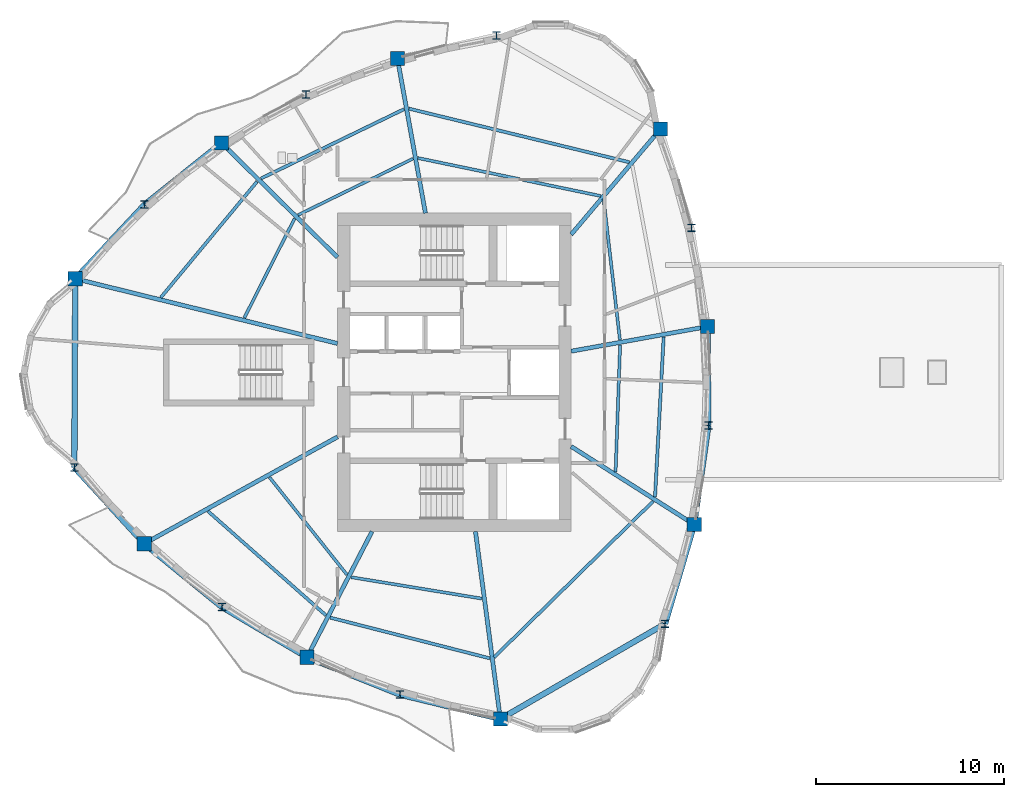
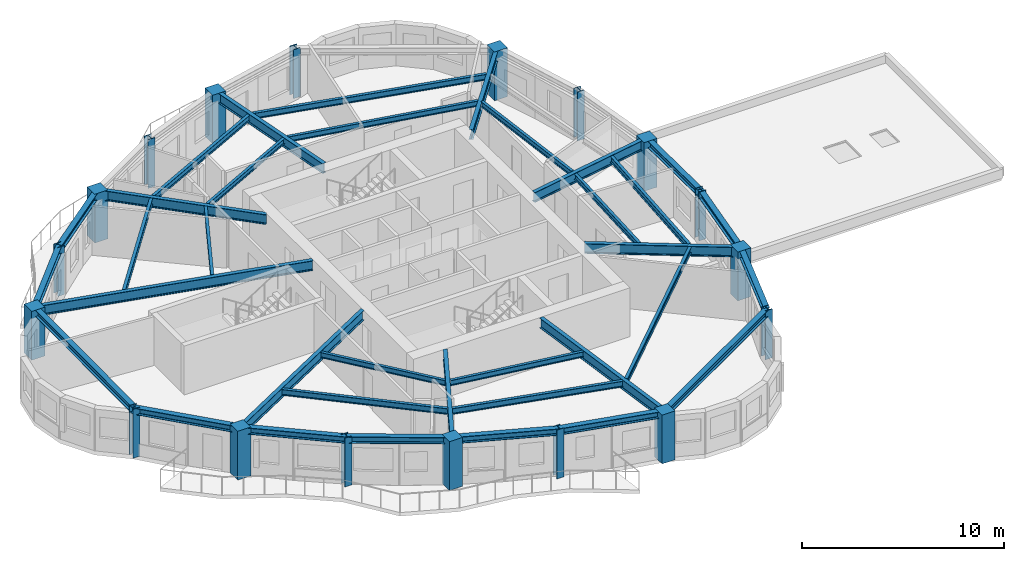
# One storey, part 1 of 11: 35 beams, 18 columns.
"""IFC4 building model written with IfcOpenShell, lengths in metres."""

from ifc_helpers import new_model, si_unit, direction, frame, origin, origin_2d, place, context, subcontext, project, spatial, rectangle, i_section, extrude, source, transform, mapped, material, material_profile, profile_set, type_object, element, save


model = new_model("IFC4")

# Units and contexts
model_context = context("Model", 3, precision=1e-05, world=origin(), true_north=direction((0.0, 1.0)))
body_context = subcontext(model_context, "Body", "Model", "MODEL_VIEW")
ifc_project = project(units=[si_unit("LENGTHUNIT", "METRE"), si_unit("AREAUNIT", "SQUARE_METRE"), si_unit("VOLUMEUNIT", "CUBIC_METRE"), si_unit("PLANEANGLEUNIT", "RADIAN"), si_unit("MASSUNIT", "GRAM", prefix="KILO")], contexts=[model_context])

# Site, building, storey
site_placement = place(None, origin())
site = spatial("IfcSite", under=ifc_project, at=site_placement, CompositionType="ELEMENT")
building_placement = place(site_placement, origin())
building = spatial("IfcBuilding", under=site, at=building_placement, Name="Qafzar Sky-Pleat Residences", CompositionType="ELEMENT")
storey_placement = place(building_placement, frame((0.0, 0.0, 161.800048828125)))
storey = spatial("IfcBuildingStorey", under=building, at=storey_placement, Name="L48", CompositionType="ELEMENT", Elevation=161.800048828125)

# Columns
ifc_material_1 = material(Name="Concrete C60/75", Category="concrete")
ifc_material_profile_1 = material_profile(ifc_material_1, rectangle(XDim=0.75, YDim=0.75, at=origin_2d()), Name="RC 750x750")
ifc_profile_set_1 = profile_set([ifc_material_profile_1], Name="Concrete C60/75")
column_type_1 = type_object("IfcColumnType", Name="COL-RC-750", PredefinedType="COLUMN", material=ifc_profile_set_1)
shared_shape_1 = source(origin(), body_context, "Body", "SweptSolid", [
    extrude(rectangle(XDim=0.75, YDim=0.75, at=origin_2d()), origin(), (0.0, 0.0, 1.0), 2.949951171875),
])
for number, where, z_axis, x_axis, name in (
    (1, (10.228515625, 30.96728515625, 0.0), (0.0, 0.0, 1.0), (1.0, 0.0, 0.0), "L48 Perimeter Mega Column 1"),
    (2, (13.890380859375, 16.905517578125, 0.0), (0.0, 0.0, 1.0), (1.0, 0.0, 0.0), "L48 Perimeter Mega Column 3"),
    (3, (22.528564453125, 10.879150390625, 0.0), (0.0, 0.0, 1.0), (1.0, 0.0, 0.0), "L48 Perimeter Mega Column 5"),
    (4, (32.789794921875, 7.602294921875, 0.0), (0.0, 0.0, 1.0), (1.0, 0.0, 0.0), "L48 Perimeter Mega Column 7"),
    (5, (43.08349609375, 17.91943359375, 0.0), (0.0, 0.0, 1.0), (1.0, 0.0, 0.0), "L48 Perimeter Mega Column 9"),
    (6, (43.77978515625, 28.428955078125, 0.0), (0.0, 0.0, 1.0), (1.0, 0.0, 0.0), "L48 Perimeter Mega Column 11"),
    (7, (41.28369140625, 38.907470703125, 0.0), (0.0, 0.0, 1.0), (1.0, 0.0, 0.0), "L48 Perimeter Mega Column 13"),
    (8, (27.328125, 42.652099609375, 0.0), (0.0, 0.0, 1.0), (1.0, 0.0, 0.0), "L48 Perimeter Mega Column 15"),
    (9, (17.99365234375, 38.168701171875, 0.0), (0.0, 0.0, 1.0), (1.0, 0.0, 0.0), "L48 Perimeter Mega Column 17"),
):
    element("IfcColumn", number, at=place(storey_placement, frame(where, z_axis=z_axis, x_axis=x_axis)), inside=storey, type_object=column_type_1, Name=name, PredefinedType="COLUMN", context=body_context, shape_type="MappedRepresentation", body=[
        mapped(shared_shape_1, transform((0.0, 0.0, 0.0), x_axis=(1.0, 0.0, 0.0), y_axis=(0.0, 1.0, 0.0), z_axis=(0.0, 0.0, 1.0), scale=1.0)),
    ])
ifc_material_2 = material(Name="Steel S355", Category="steel")
ifc_material_profile_2 = material_profile(ifc_material_2, i_section(OverallWidth=0.40087890625, OverallDepth=0.39892578125, WebThickness=0.02294921875, FlangeThickness=0.035888671875, FilletRadius=0.014892578125, at=origin_2d()), Name="HD 400x314")
ifc_profile_set_2 = profile_set([ifc_material_profile_2], Name="Steel S355")
column_type_2 = type_object("IfcColumnType", Name="COL-STL-HD314", PredefinedType="PILASTER", material=ifc_profile_set_2)
shared_shape_2 = source(origin(), body_context, "Body", "SweptSolid", [
    extrude(i_section(OverallWidth=0.40087890625, OverallDepth=0.39892578125, WebThickness=0.02294921875, FlangeThickness=0.035888671875, FilletRadius=0.014892578125, at=origin_2d()), origin(), (0.0, 0.0, 1.0), 2.949951171875),
])
for number, where, z_axis, x_axis, name in (
    (10, (10.179931640625, 20.94970703125, 0.0), (0.0, 0.0, 1.0), (1.0, 0.0, 0.0), "L48 Perimeter Mega Column 2"),
    (11, (18.006591796875, 13.548583984375, 0.0), (0.0, 0.0, 1.0), (1.0, 0.0, 0.0), "L48 Perimeter Mega Column 4"),
    (12, (27.456298828125, 8.897216796875, 0.0), (0.0, 0.0, 1.0), (1.0, 0.0, 0.0), "L48 Perimeter Mega Column 6"),
    (13, (41.5380859375, 12.653076171875, 0.0), (0.0, 0.0, 1.0), (1.0, 0.0, 0.0), "L48 Perimeter Mega Column 8"),
    (14, (43.830810546875, 23.177978515625, 0.0), (0.0, 0.0, 1.0), (1.0, 0.0, 0.0), "L48 Perimeter Mega Column 10"),
    (15, (42.930908203125, 33.672119140625, 0.0), (0.0, 0.0, 1.0), (1.0, 0.0, 0.0), "L48 Perimeter Mega Column 12"),
    (16, (32.583984375, 43.874267578125, 0.0), (0.0, 0.0, 1.0), (1.0, 0.0, 0.0), "L48 Perimeter Mega Column 14"),
    (17, (22.464599609375, 40.750244140625, 0.0), (0.0, 0.0, 1.0), (1.0, 0.0, 0.0), "L48 Perimeter Mega Column 16"),
    (18, (13.914794921875, 34.90771484375, 0.0), (0.0, 0.0, 1.0), (1.0, 0.0, 0.0), "L48 Perimeter Mega Column 18"),
):
    element("IfcColumn", number, at=place(storey_placement, frame(where, z_axis=z_axis, x_axis=x_axis)), inside=storey, type_object=column_type_2, Name=name, PredefinedType="PILASTER", context=body_context, shape_type="MappedRepresentation", body=[
        mapped(shared_shape_2, transform((0.0, 0.0, 0.0), x_axis=(1.0, 0.0, 0.0), y_axis=(0.0, 1.0, 0.0), z_axis=(0.0, 0.0, 1.0), scale=1.0)),
    ])

# Beams
ifc_material_profile_3 = material_profile(ifc_material_2, i_section(OverallWidth=0.300048828125, OverallDepth=0.39990234375, WebThickness=0.013427734375, FlangeThickness=0.02392578125, FilletRadius=0.027099609375, at=origin_2d()), Name="HEB 400")
ifc_profile_set_3 = profile_set([ifc_material_profile_3], Name="Steel S355")
beam_type_1 = type_object("IfcBeamType", Name="BM-SPAN-HEB400", PredefinedType="SPANDREL", material=ifc_profile_set_3)
shared_shape_3 = source(origin(), body_context, "Body", "SweptSolid", [
    extrude(i_section(OverallWidth=0.300048828125, OverallDepth=0.39990234375, WebThickness=0.013427734375, FlangeThickness=0.02392578125, FilletRadius=0.027099609375, at=origin_2d()), origin(), (0.0, 0.0, 1.0), 10.017578125),
])
beam_1_placement = place(storey_placement, frame((10.228515625, 30.96728515625, 2.748046875), z_axis=(-0.004849816233, -0.999988239572, 0.0), x_axis=(0.999988239572, -0.004849816233, 0.0)))
element("IfcBeam", 19, at=beam_1_placement, inside=storey, type_object=beam_type_1, Name="L48 Perimeter Spandrel Beam 1", PredefinedType="SPANDREL", context=body_context, shape_type="MappedRepresentation", body=[
    mapped(shared_shape_3, transform((0.0, 0.0, 0.0), x_axis=(1.0, 0.0, 0.0), y_axis=(0.0, 1.0, 0.0), z_axis=(0.0, 0.0, 1.0), scale=1.0)),
])
shared_shape_4 = source(origin(), body_context, "Body", "SweptSolid", [
    extrude(i_section(OverallWidth=0.300048828125, OverallDepth=0.39990234375, WebThickness=0.013427734375, FlangeThickness=0.02392578125, FilletRadius=0.027099609375, at=origin_2d()), origin(), (0.0, 0.0, 1.0), 5.488525390625),
])
for number, where, z_axis, x_axis, name in (
    (20, (10.179931640625, 20.94970703125, 2.748046875), (0.676048867567, -0.736856789791, 0.0), (0.736856789791, 0.676048867567, 0.0), "L48 Perimeter Spandrel Beam 2"),
    (21, (27.456298828125, 8.897216796875, 2.748046875), (0.971768566723, -0.235936120017, 0.0), (0.235936120017, 0.971768566723, 0.0), "L48 Perimeter Spandrel Beam 6"),
    (22, (41.5380859375, 12.653076171875, 2.748046875), (0.281576235799, 0.959538859783, 0.0), (-0.959538859783, 0.281576235799, 0.0), "L48 Perimeter Spandrel Beam 8"),
):
    element("IfcBeam", number, at=place(storey_placement, frame(where, z_axis=z_axis, x_axis=x_axis)), inside=storey, type_object=beam_type_1, Name=name, PredefinedType="SPANDREL", context=body_context, shape_type="MappedRepresentation", body=[
        mapped(shared_shape_4, transform((0.0, 0.0, 0.0), x_axis=(1.0, 0.0, 0.0), y_axis=(0.0, 1.0, 0.0), z_axis=(0.0, 0.0, 1.0), scale=1.0)),
    ])
shared_shape_5 = source(origin(), body_context, "Body", "SweptSolid", [
    extrude(i_section(OverallWidth=0.300048828125, OverallDepth=0.39990234375, WebThickness=0.013427734375, FlangeThickness=0.02392578125, FilletRadius=0.027099609375, at=origin_2d()), origin(), (0.0, 0.0, 1.0), 5.3115234375),
])
beam_2_placement = place(storey_placement, frame((13.890380859375, 16.905517578125, 2.748046875), z_axis=(0.774959807664, -0.632010519299, 0.0), x_axis=(0.632010519299, 0.774959807664, 0.0)))
element("IfcBeam", 23, at=beam_2_placement, inside=storey, type_object=beam_type_1, Name="L48 Perimeter Spandrel Beam 3", PredefinedType="SPANDREL", context=body_context, shape_type="MappedRepresentation", body=[
    mapped(shared_shape_5, transform((0.0, 0.0, 0.0), x_axis=(1.0, 0.0, 0.0), y_axis=(0.0, 1.0, 0.0), z_axis=(0.0, 0.0, 1.0), scale=1.0)),
])
shared_shape_6 = source(origin(), body_context, "Body", "SweptSolid", [
    extrude(i_section(OverallWidth=0.300048828125, OverallDepth=0.39990234375, WebThickness=0.013427734375, FlangeThickness=0.02392578125, FilletRadius=0.027099609375, at=origin_2d()), origin(), (0.0, 0.0, 1.0), 5.251220703125),
])
for number, where, z_axis, x_axis, name in (
    (24, (18.006591796875, 13.548583984375, 2.748046875), (0.861146738324, -0.508356464574, 0.0), (0.508356464574, 0.861146738324, 0.0), "L48 Perimeter Spandrel Beam 4"),
    (25, (43.830810546875, 23.177978515625, 2.748046875), (-0.009716855736, 0.999952790243, 0.0), (-0.999952790243, -0.009716855736, 0.0), "L48 Perimeter Spandrel Beam 10"),
):
    element("IfcBeam", number, at=place(storey_placement, frame(where, z_axis=z_axis, x_axis=x_axis)), inside=storey, type_object=beam_type_1, Name=name, PredefinedType="SPANDREL", context=body_context, shape_type="MappedRepresentation", body=[
        mapped(shared_shape_6, transform((0.0, 0.0, 0.0), x_axis=(1.0, 0.0, 0.0), y_axis=(0.0, 1.0, 0.0), z_axis=(0.0, 0.0, 1.0), scale=1.0)),
    ])
shared_shape_7 = source(origin(), body_context, "Body", "SweptSolid", [
    extrude(i_section(OverallWidth=0.300048828125, OverallDepth=0.39990234375, WebThickness=0.013427734375, FlangeThickness=0.02392578125, FilletRadius=0.027099609375, at=origin_2d()), origin(), (0.0, 0.0, 1.0), 5.311279296875),
])
for number, where, z_axis, x_axis, name in (
    (26, (22.528564453125, 10.879150390625, 2.748046875), (0.927771273555, -0.373149385589, 0.0), (0.373149385589, 0.927771273555, 0.0), "L48 Perimeter Spandrel Beam 5"),
    (27, (43.08349609375, 17.91943359375, 2.748046875), (0.140700578777, 0.990052194145, 0.0), (-0.990052194145, 0.140700578777, 0.0), "L48 Perimeter Spandrel Beam 9"),
):
    element("IfcBeam", number, at=place(storey_placement, frame(where, z_axis=z_axis, x_axis=x_axis)), inside=storey, type_object=beam_type_1, Name=name, PredefinedType="SPANDREL", context=body_context, shape_type="MappedRepresentation", body=[
        mapped(shared_shape_7, transform((0.0, 0.0, 0.0), x_axis=(1.0, 0.0, 0.0), y_axis=(0.0, 1.0, 0.0), z_axis=(0.0, 0.0, 1.0), scale=1.0)),
    ])
shared_shape_8 = source(origin(), body_context, "Body", "SweptSolid", [
    extrude(i_section(OverallWidth=0.300048828125, OverallDepth=0.39990234375, WebThickness=0.013427734375, FlangeThickness=0.02392578125, FilletRadius=0.027099609375, at=origin_2d()), origin(), (0.0, 0.0, 1.0), 10.1015625),
])
beam_3_placement = place(storey_placement, frame((32.789794921875, 7.602294921875, 2.748046875), z_axis=(0.866027415153, 0.499996516191, 0.0), x_axis=(-0.499996516191, 0.866027415153, 0.0)))
element("IfcBeam", 28, at=beam_3_placement, inside=storey, type_object=beam_type_1, Name="L48 Perimeter Spandrel Beam 7", PredefinedType="SPANDREL", context=body_context, shape_type="MappedRepresentation", body=[
    mapped(shared_shape_8, transform((0.0, 0.0, 0.0), x_axis=(1.0, 0.0, 0.0), y_axis=(0.0, 1.0, 0.0), z_axis=(0.0, 0.0, 1.0), scale=1.0)),
])
shared_shape_9 = source(origin(), body_context, "Body", "SweptSolid", [
    extrude(i_section(OverallWidth=0.300048828125, OverallDepth=0.39990234375, WebThickness=0.013427734375, FlangeThickness=0.02392578125, FilletRadius=0.027099609375, at=origin_2d()), origin(), (0.0, 0.0, 1.0), 5.39599609375),
])
beam_4_placement = place(storey_placement, frame((13.914794921875, 34.90771484375, 2.748046875), z_axis=(-0.683164134037, -0.730264860147, 0.0), x_axis=(0.730264860147, -0.683164134037, 0.0)))
element("IfcBeam", 29, at=beam_4_placement, inside=storey, type_object=beam_type_1, Name="L48 Perimeter Spandrel Beam 18", PredefinedType="SPANDREL", context=body_context, shape_type="MappedRepresentation", body=[
    mapped(shared_shape_9, transform((0.0, 0.0, 0.0), x_axis=(1.0, 0.0, 0.0), y_axis=(0.0, 1.0, 0.0), z_axis=(0.0, 0.0, 1.0), scale=1.0)),
])
shared_shape_10 = source(origin(), body_context, "Body", "SweptSolid", [
    extrude(i_section(OverallWidth=0.300048828125, OverallDepth=0.39990234375, WebThickness=0.013427734375, FlangeThickness=0.02392578125, FilletRadius=0.027099609375, at=origin_2d()), origin(), (0.0, 0.0, 1.0), 5.22216796875),
])
beam_5_placement = place(storey_placement, frame((17.99365234375, 38.168701171875, 2.748046875), z_axis=(-0.781064896086, -0.624449860359, 0.0), x_axis=(0.624449860359, -0.781064896086, 0.0)))
element("IfcBeam", 30, at=beam_5_placement, inside=storey, type_object=beam_type_1, Name="L48 Perimeter Spandrel Beam 17", PredefinedType="SPANDREL", context=body_context, shape_type="MappedRepresentation", body=[
    mapped(shared_shape_10, transform((0.0, 0.0, 0.0), x_axis=(1.0, 0.0, 0.0), y_axis=(0.0, 1.0, 0.0), z_axis=(0.0, 0.0, 1.0), scale=1.0)),
])
ifc_material_profile_4 = material_profile(ifc_material_2, i_section(OverallWidth=0.219970703125, OverallDepth=0.60009765625, WebThickness=0.011962890625, FlangeThickness=0.01904296875, FilletRadius=0.02392578125, at=origin_2d()), Name="IPE 600")
ifc_profile_set_4 = profile_set([ifc_material_profile_4], Name="Steel S355")
beam_type_2 = type_object("IfcBeamType", Name="BM-SEC-IPE600", PredefinedType="BEAM", material=ifc_profile_set_4)
shared_shape_11 = source(origin(), body_context, "Body", "SweptSolid", [
    extrude(i_section(OverallWidth=0.219970703125, OverallDepth=0.60009765625, WebThickness=0.011962890625, FlangeThickness=0.01904296875, FilletRadius=0.02392578125, at=origin_2d()), origin(), (0.0, 0.0, 1.0), 14.33935546875),
])
beam_6_placement = place(storey_placement, frame((10.228515625, 30.96728515625, 2.64794921875), z_axis=(0.970853373053, -0.239674212277, 0.0), x_axis=(0.239674212277, 0.970853373053, 0.0)))
element("IfcBeam", 31, at=beam_6_placement, inside=storey, type_object=beam_type_2, Name="L48 Radial Floor Girder 1", PredefinedType="BEAM", context=body_context, shape_type="MappedRepresentation", body=[
    mapped(shared_shape_11, transform((0.0, 0.0, 0.0), x_axis=(1.0, 0.0, 0.0), y_axis=(0.0, 1.0, 0.0), z_axis=(0.0, 0.0, 1.0), scale=1.0)),
])
shared_shape_12 = source(origin(), body_context, "Body", "SweptSolid", [
    extrude(i_section(OverallWidth=0.219970703125, OverallDepth=0.60009765625, WebThickness=0.011962890625, FlangeThickness=0.01904296875, FilletRadius=0.02392578125, at=origin_2d()), origin(), (0.0, 0.0, 1.0), 11.721435546875),
])
beam_7_placement = place(storey_placement, frame((13.890380859375, 16.905517578125, 2.64794921875), z_axis=(0.875278891654, 0.483618508563, 0.0), x_axis=(-0.483618508563, 0.875278891654, 0.0)))
element("IfcBeam", 32, at=beam_7_placement, inside=storey, type_object=beam_type_2, Name="L48 Radial Floor Girder 3", PredefinedType="BEAM", context=body_context, shape_type="MappedRepresentation", body=[
    mapped(shared_shape_12, transform((0.0, 0.0, 0.0), x_axis=(1.0, 0.0, 0.0), y_axis=(0.0, 1.0, 0.0), z_axis=(0.0, 0.0, 1.0), scale=1.0)),
])
shared_shape_13 = source(origin(), body_context, "Body", "SweptSolid", [
    extrude(i_section(OverallWidth=0.219970703125, OverallDepth=0.60009765625, WebThickness=0.011962890625, FlangeThickness=0.01904296875, FilletRadius=0.02392578125, at=origin_2d()), origin(), (0.0, 0.0, 1.0), 7.510498046875),
])
beam_8_placement = place(storey_placement, frame((22.528564453125, 10.879150390625, 2.64794921875), z_axis=(0.459420265868, 0.888219015395, 0.0), x_axis=(-0.888219015395, 0.459420265868, 0.0)))
element("IfcBeam", 33, at=beam_8_placement, inside=storey, type_object=beam_type_2, Name="L48 Radial Floor Girder 5", PredefinedType="BEAM", context=body_context, shape_type="MappedRepresentation", body=[
    mapped(shared_shape_13, transform((0.0, 0.0, 0.0), x_axis=(1.0, 0.0, 0.0), y_axis=(0.0, 1.0, 0.0), z_axis=(0.0, 0.0, 1.0), scale=1.0)),
])
shared_shape_14 = source(origin(), body_context, "Body", "SweptSolid", [
    extrude(i_section(OverallWidth=0.219970703125, OverallDepth=0.60009765625, WebThickness=0.011962890625, FlangeThickness=0.01904296875, FilletRadius=0.02392578125, at=origin_2d()), origin(), (0.0, 0.0, 1.0), 10.034912109375),
])
beam_9_placement = place(storey_placement, frame((32.789794921875, 7.602294921875, 2.64794921875), z_axis=(-0.131451336112, 0.991322624696, 0.0), x_axis=(-0.991322624696, -0.131451336112, 0.0)))
element("IfcBeam", 34, at=beam_9_placement, inside=storey, type_object=beam_type_2, Name="L48 Radial Floor Girder 7", PredefinedType="BEAM", context=body_context, shape_type="MappedRepresentation", body=[
    mapped(shared_shape_14, transform((0.0, 0.0, 0.0), x_axis=(1.0, 0.0, 0.0), y_axis=(0.0, 1.0, 0.0), z_axis=(0.0, 0.0, 1.0), scale=1.0)),
])
shared_shape_15 = source(origin(), body_context, "Body", "SweptSolid", [
    extrude(i_section(OverallWidth=0.219970703125, OverallDepth=0.60009765625, WebThickness=0.011962890625, FlangeThickness=0.01904296875, FilletRadius=0.02392578125, at=origin_2d()), origin(), (0.0, 0.0, 1.0), 7.73779296875),
])
beam_10_placement = place(storey_placement, frame((43.08349609375, 17.91943359375, 2.64794921875), z_axis=(-0.84434287058, 0.535803244579, 0.0), x_axis=(-0.535803244579, -0.84434287058, 0.0)))
element("IfcBeam", 35, at=beam_10_placement, inside=storey, type_object=beam_type_2, Name="L48 Radial Floor Girder 9", PredefinedType="BEAM", context=body_context, shape_type="MappedRepresentation", body=[
    mapped(shared_shape_15, transform((0.0, 0.0, 0.0), x_axis=(1.0, 0.0, 0.0), y_axis=(0.0, 1.0, 0.0), z_axis=(0.0, 0.0, 1.0), scale=1.0)),
])
shared_shape_16 = source(origin(), body_context, "Body", "SweptSolid", [
    extrude(i_section(OverallWidth=0.219970703125, OverallDepth=0.60009765625, WebThickness=0.011962890625, FlangeThickness=0.01904296875, FilletRadius=0.02392578125, at=origin_2d()), origin(), (0.0, 0.0, 1.0), 7.346923828125),
])
beam_11_placement = place(storey_placement, frame((43.77978515625, 28.428955078125, 2.64794921875), z_axis=(-0.984034312333, -0.1779788531, 0.0), x_axis=(0.1779788531, -0.984034312333, 0.0)))
element("IfcBeam", 36, at=beam_11_placement, inside=storey, type_object=beam_type_2, Name="L48 Radial Floor Girder 11", PredefinedType="BEAM", context=body_context, shape_type="MappedRepresentation", body=[
    mapped(shared_shape_16, transform((0.0, 0.0, 0.0), x_axis=(1.0, 0.0, 0.0), y_axis=(0.0, 1.0, 0.0), z_axis=(0.0, 0.0, 1.0), scale=1.0)),
])
shared_shape_17 = source(origin(), body_context, "Body", "SweptSolid", [
    extrude(i_section(OverallWidth=0.219970703125, OverallDepth=0.60009765625, WebThickness=0.011962890625, FlangeThickness=0.01904296875, FilletRadius=0.02392578125, at=origin_2d()), origin(), (0.0, 0.0, 1.0), 7.32373046875),
])
beam_12_placement = place(storey_placement, frame((41.28369140625, 38.907470703125, 2.64794921875), z_axis=(-0.646341144155, -0.763048573403, 0.0), x_axis=(0.763048573403, -0.646341144155, 0.0)))
element("IfcBeam", 37, at=beam_12_placement, inside=storey, type_object=beam_type_2, Name="L48 Radial Floor Girder 13", PredefinedType="BEAM", context=body_context, shape_type="MappedRepresentation", body=[
    mapped(shared_shape_17, transform((0.0, 0.0, 0.0), x_axis=(1.0, 0.0, 0.0), y_axis=(0.0, 1.0, 0.0), z_axis=(0.0, 0.0, 1.0), scale=1.0)),
])
shared_shape_18 = source(origin(), body_context, "Body", "SweptSolid", [
    extrude(i_section(OverallWidth=0.219970703125, OverallDepth=0.60009765625, WebThickness=0.011962890625, FlangeThickness=0.01904296875, FilletRadius=0.02392578125, at=origin_2d()), origin(), (0.0, 0.0, 1.0), 8.336181640625),
])
beam_13_placement = place(storey_placement, frame((27.328125, 42.652099609375, 2.64794921875), z_axis=(0.178534917352, -0.983933576664, 0.0), x_axis=(0.983933576664, 0.178534917352, 0.0)))
element("IfcBeam", 38, at=beam_13_placement, inside=storey, type_object=beam_type_2, Name="L48 Radial Floor Girder 15", PredefinedType="BEAM", context=body_context, shape_type="MappedRepresentation", body=[
    mapped(shared_shape_18, transform((0.0, 0.0, 0.0), x_axis=(1.0, 0.0, 0.0), y_axis=(0.0, 1.0, 0.0), z_axis=(0.0, 0.0, 1.0), scale=1.0)),
])
shared_shape_19 = source(origin(), body_context, "Body", "SweptSolid", [
    extrude(i_section(OverallWidth=0.219970703125, OverallDepth=0.60009765625, WebThickness=0.011962890625, FlangeThickness=0.01904296875, FilletRadius=0.02392578125, at=origin_2d()), origin(), (0.0, 0.0, 1.0), 8.640380859375),
])
beam_14_placement = place(storey_placement, frame((17.99365234375, 38.168701171875, 2.64794921875), z_axis=(0.712497054337, -0.701675101141, 0.0), x_axis=(0.701675101141, 0.712497054337, 0.0)))
element("IfcBeam", 39, at=beam_14_placement, inside=storey, type_object=beam_type_2, Name="L48 Radial Floor Girder 17", PredefinedType="BEAM", context=body_context, shape_type="MappedRepresentation", body=[
    mapped(shared_shape_19, transform((0.0, 0.0, 0.0), x_axis=(1.0, 0.0, 0.0), y_axis=(0.0, 1.0, 0.0), z_axis=(0.0, 0.0, 1.0), scale=1.0)),
])
ifc_material_profile_5 = material_profile(ifc_material_2, i_section(OverallWidth=0.169921875, OverallDepth=0.360107421875, WebThickness=0.008056640625, FlangeThickness=0.0126953125, FilletRadius=0.01806640625, at=origin_2d()), Name="IPE 360")
ifc_profile_set_5 = profile_set([ifc_material_profile_5], Name="Steel S355")
beam_type_3 = type_object("IfcBeamType", Name="BM-JST-IPE360", PredefinedType="JOIST", material=ifc_profile_set_5)
shared_shape_20 = source(origin(), body_context, "Body", "SweptSolid", [
    extrude(i_section(OverallWidth=0.169921875, OverallDepth=0.360107421875, WebThickness=0.008056640625, FlangeThickness=0.0126953125, FilletRadius=0.01806640625, at=origin_2d()), origin(), (0.0, 0.0, 1.0), 8.348388671875),
])
beam_15_placement = place(storey_placement, frame((17.274658203125, 18.630126953125, 2.76806640625), z_axis=(0.74947417914, -0.662033575284, 0.0), x_axis=(0.662033575284, 0.74947417914, 0.0)))
element("IfcBeam", 40, at=beam_15_placement, inside=storey, type_object=beam_type_3, Name="L48 Outer Secondary Floor Joist 2", PredefinedType="JOIST", context=body_context, shape_type="MappedRepresentation", body=[
    mapped(shared_shape_20, transform((0.0, 0.0, 0.0), x_axis=(1.0, 0.0, 0.0), y_axis=(0.0, 1.0, 0.0), z_axis=(0.0, 0.0, 1.0), scale=1.0)),
])
shared_shape_21 = source(origin(), body_context, "Body", "SweptSolid", [
    extrude(i_section(OverallWidth=0.169921875, OverallDepth=0.360107421875, WebThickness=0.008056640625, FlangeThickness=0.0126953125, FilletRadius=0.01806640625, at=origin_2d()), origin(), (0.0, 0.0, 1.0), 8.74462890625),
])
beam_16_placement = place(storey_placement, frame((23.763671875, 12.98046875, 2.76806640625), z_axis=(0.968965249171, -0.247196977933, 0.0), x_axis=(0.247196977933, 0.968965249171, 0.0)))
element("IfcBeam", 41, at=beam_16_placement, inside=storey, type_object=beam_type_3, Name="L48 Outer Secondary Floor Joist 3", PredefinedType="JOIST", context=body_context, shape_type="MappedRepresentation", body=[
    mapped(shared_shape_21, transform((0.0, 0.0, 0.0), x_axis=(1.0, 0.0, 0.0), y_axis=(0.0, 1.0, 0.0), z_axis=(0.0, 0.0, 1.0), scale=1.0)),
])
shared_shape_22 = source(origin(), body_context, "Body", "SweptSolid", [
    extrude(i_section(OverallWidth=0.169921875, OverallDepth=0.360107421875, WebThickness=0.008056640625, FlangeThickness=0.0126953125, FilletRadius=0.01806640625, at=origin_2d()), origin(), (0.0, 0.0, 1.0), 11.811767578125),
])
beam_17_placement = place(storey_placement, frame((32.464111328125, 10.880126953125, 2.76806640625), z_axis=(0.713874262527, 0.700273901628, 0.0), x_axis=(-0.700273901628, 0.713874262527, 0.0)))
element("IfcBeam", 42, at=beam_17_placement, inside=storey, type_object=beam_type_3, Name="L48 Outer Secondary Floor Joist 4", PredefinedType="JOIST", context=body_context, shape_type="MappedRepresentation", body=[
    mapped(shared_shape_22, transform((0.0, 0.0, 0.0), x_axis=(1.0, 0.0, 0.0), y_axis=(0.0, 1.0, 0.0), z_axis=(0.0, 0.0, 1.0), scale=1.0)),
])
shared_shape_23 = source(origin(), body_context, "Body", "SweptSolid", [
    extrude(i_section(OverallWidth=0.169921875, OverallDepth=0.360107421875, WebThickness=0.008056640625, FlangeThickness=0.0126953125, FilletRadius=0.01806640625, at=origin_2d()), origin(), (0.0, 0.0, 1.0), 8.507080078125),
])
beam_18_placement = place(storey_placement, frame((41.0, 19.381103515625, 2.76806640625), z_axis=(0.05395360332, 0.998543443566, 0.0), x_axis=(-0.998543443566, 0.05395360332, 0.0)))
element("IfcBeam", 43, at=beam_18_placement, inside=storey, type_object=beam_type_3, Name="L48 Outer Secondary Floor Joist 5", PredefinedType="JOIST", context=body_context, shape_type="MappedRepresentation", body=[
    mapped(shared_shape_23, transform((0.0, 0.0, 0.0), x_axis=(1.0, 0.0, 0.0), y_axis=(0.0, 1.0, 0.0), z_axis=(0.0, 0.0, 1.0), scale=1.0)),
])
shared_shape_24 = source(origin(), body_context, "Body", "SweptSolid", [
    extrude(i_section(OverallWidth=0.169921875, OverallDepth=0.360107421875, WebThickness=0.008056640625, FlangeThickness=0.0126953125, FilletRadius=0.01806640625, at=origin_2d()), origin(), (0.0, 0.0, 1.0), 12.04296875),
])
beam_19_placement = place(storey_placement, frame((39.6376953125, 37.151123046875, 2.76806640625), z_axis=(-0.971705465464, 0.236195868692, 0.0), x_axis=(-0.236195868692, -0.971705465464, 0.0)))
element("IfcBeam", 44, at=beam_19_placement, inside=storey, type_object=beam_type_3, Name="L48 Outer Secondary Floor Joist 7", PredefinedType="JOIST", context=body_context, shape_type="MappedRepresentation", body=[
    mapped(shared_shape_24, transform((0.0, 0.0, 0.0), x_axis=(1.0, 0.0, 0.0), y_axis=(0.0, 1.0, 0.0), z_axis=(0.0, 0.0, 1.0), scale=1.0)),
])
shared_shape_25 = source(origin(), body_context, "Body", "SweptSolid", [
    extrude(i_section(OverallWidth=0.169921875, OverallDepth=0.360107421875, WebThickness=0.008056640625, FlangeThickness=0.0126953125, FilletRadius=0.01806640625, at=origin_2d()), origin(), (0.0, 0.0, 1.0), 8.4423828125),
])
beam_20_placement = place(storey_placement, frame((27.682861328125, 39.968505859375, 2.76806640625), z_axis=(-0.899944447628, -0.436004577021, 0.0), x_axis=(0.436004577021, -0.899944447628, 0.0)))
element("IfcBeam", 45, at=beam_20_placement, inside=storey, type_object=beam_type_3, Name="L48 Outer Secondary Floor Joist 8", PredefinedType="JOIST", context=body_context, shape_type="MappedRepresentation", body=[
    mapped(shared_shape_25, transform((0.0, 0.0, 0.0), x_axis=(1.0, 0.0, 0.0), y_axis=(0.0, 1.0, 0.0), z_axis=(0.0, 0.0, 1.0), scale=1.0)),
])
shared_shape_26 = source(origin(), body_context, "Body", "SweptSolid", [
    extrude(i_section(OverallWidth=0.169921875, OverallDepth=0.360107421875, WebThickness=0.008056640625, FlangeThickness=0.0126953125, FilletRadius=0.01806640625, at=origin_2d()), origin(), (0.0, 0.0, 1.0), 7.997314453125),
])
beam_21_placement = place(storey_placement, frame((19.87744140625, 36.124755859375, 2.76806640625), z_axis=(-0.638702862471, -0.769453477133, 0.0), x_axis=(0.769453477133, -0.638702862471, 0.0)))
element("IfcBeam", 46, at=beam_21_placement, inside=storey, type_object=beam_type_3, Name="L48 Outer Secondary Floor Joist 9", PredefinedType="JOIST", context=body_context, shape_type="MappedRepresentation", body=[
    mapped(shared_shape_26, transform((0.0, 0.0, 0.0), x_axis=(1.0, 0.0, 0.0), y_axis=(0.0, 1.0, 0.0), z_axis=(0.0, 0.0, 1.0), scale=1.0)),
])
ifc_material_profile_6 = material_profile(ifc_material_2, i_section(OverallWidth=0.159912109375, OverallDepth=0.330078125, WebThickness=0.007568359375, FlangeThickness=0.011474609375, FilletRadius=0.01806640625, at=origin_2d()), Name="IPE 330")
ifc_profile_set_6 = profile_set([ifc_material_profile_6], Name="Steel S355")
beam_type_4 = type_object("IfcBeamType", Name="BM-JST-IPE330", PredefinedType="JOIST", material=ifc_profile_set_6)
shared_shape_27 = source(origin(), body_context, "Body", "SweptSolid", [
    extrude(i_section(OverallWidth=0.159912109375, OverallDepth=0.330078125, WebThickness=0.007568359375, FlangeThickness=0.011474609375, FilletRadius=0.01806640625, at=origin_2d()), origin(), (0.0, 0.0, 1.0), 6.609130859375),
])
beam_22_placement = place(storey_placement, frame((20.54052734375, 20.427978515625, 2.782958984375), z_axis=(0.622223229202, -0.782839864239, 0.0), x_axis=(0.782839864239, 0.622223229202, 0.0)))
element("IfcBeam", 47, at=beam_22_placement, inside=storey, type_object=beam_type_4, Name="L48 Inner Secondary Floor Joist 2", PredefinedType="JOIST", context=body_context, shape_type="MappedRepresentation", body=[
    mapped(shared_shape_27, transform((0.0, 0.0, 0.0), x_axis=(1.0, 0.0, 0.0), y_axis=(0.0, 1.0, 0.0), z_axis=(0.0, 0.0, 1.0), scale=1.0)),
])
shared_shape_28 = source(origin(), body_context, "Body", "SweptSolid", [
    extrude(i_section(OverallWidth=0.159912109375, OverallDepth=0.330078125, WebThickness=0.007568359375, FlangeThickness=0.011474609375, FilletRadius=0.01806640625, at=origin_2d()), origin(), (0.0, 0.0, 1.0), 7.034423828125),
])
beam_23_placement = place(storey_placement, frame((24.8701171875, 15.126708984375, 2.782958984375), z_axis=(0.986869051238, -0.161522369068, 0.0), x_axis=(0.161522369068, 0.986869051238, 0.0)))
element("IfcBeam", 48, at=beam_23_placement, inside=storey, type_object=beam_type_4, Name="L48 Inner Secondary Floor Joist 3", PredefinedType="JOIST", context=body_context, shape_type="MappedRepresentation", body=[
    mapped(shared_shape_28, transform((0.0, 0.0, 0.0), x_axis=(1.0, 0.0, 0.0), y_axis=(0.0, 1.0, 0.0), z_axis=(0.0, 0.0, 1.0), scale=1.0)),
])
shared_shape_29 = source(origin(), body_context, "Body", "SweptSolid", [
    extrude(i_section(OverallWidth=0.159912109375, OverallDepth=0.330078125, WebThickness=0.007568359375, FlangeThickness=0.011474609375, FilletRadius=0.01806640625, at=origin_2d()), origin(), (0.0, 0.0, 1.0), 6.753662109375),
])
beam_24_placement = place(storey_placement, frame((38.90673828125, 20.707763671875, 2.782958984375), z_axis=(0.035716029493, 0.999361979083, 0.0), x_axis=(-0.999361979083, 0.035716029493, 0.0)))
element("IfcBeam", 49, at=beam_24_placement, inside=storey, type_object=beam_type_4, Name="L48 Inner Secondary Floor Joist 5", PredefinedType="JOIST", context=body_context, shape_type="MappedRepresentation", body=[
    mapped(shared_shape_29, transform((0.0, 0.0, 0.0), x_axis=(1.0, 0.0, 0.0), y_axis=(0.0, 1.0, 0.0), z_axis=(0.0, 0.0, 1.0), scale=1.0)),
])
shared_shape_30 = source(origin(), body_context, "Body", "SweptSolid", [
    extrude(i_section(OverallWidth=0.159912109375, OverallDepth=0.330078125, WebThickness=0.007568359375, FlangeThickness=0.011474609375, FilletRadius=0.01806640625, at=origin_2d()), origin(), (0.0, 0.0, 1.0), 7.521240234375),
])
beam_25_placement = place(storey_placement, frame((39.13720703125, 27.72607421875, 2.782958984375), z_axis=(-0.115332525594, 0.993326939401, 0.0), x_axis=(-0.993326939401, -0.115332525594, 0.0)))
element("IfcBeam", 50, at=beam_25_placement, inside=storey, type_object=beam_type_4, Name="L48 Inner Secondary Floor Joist 6", PredefinedType="JOIST", context=body_context, shape_type="MappedRepresentation", body=[
    mapped(shared_shape_30, transform((0.0, 0.0, 0.0), x_axis=(1.0, 0.0, 0.0), y_axis=(0.0, 1.0, 0.0), z_axis=(0.0, 0.0, 1.0), scale=1.0)),
])
shared_shape_31 = source(origin(), body_context, "Body", "SweptSolid", [
    extrude(i_section(OverallWidth=0.159912109375, OverallDepth=0.330078125, WebThickness=0.007568359375, FlangeThickness=0.011474609375, FilletRadius=0.01806640625, at=origin_2d()), origin(), (0.0, 0.0, 1.0), 9.91650390625),
])
beam_26_placement = place(storey_placement, frame((38.1220703125, 35.3583984375, 2.782958984375), z_axis=(-0.979099254945, 0.203383010513, 0.0), x_axis=(-0.203383010513, -0.979099254945, 0.0)))
element("IfcBeam", 51, at=beam_26_placement, inside=storey, type_object=beam_type_4, Name="L48 Inner Secondary Floor Joist 7", PredefinedType="JOIST", context=body_context, shape_type="MappedRepresentation", body=[
    mapped(shared_shape_31, transform((0.0, 0.0, 0.0), x_axis=(1.0, 0.0, 0.0), y_axis=(0.0, 1.0, 0.0), z_axis=(0.0, 0.0, 1.0), scale=1.0)),
])
shared_shape_32 = source(origin(), body_context, "Body", "SweptSolid", [
    extrude(i_section(OverallWidth=0.159912109375, OverallDepth=0.330078125, WebThickness=0.007568359375, FlangeThickness=0.011474609375, FilletRadius=0.01806640625, at=origin_2d()), origin(), (0.0, 0.0, 1.0), 6.7998046875),
])
beam_27_placement = place(storey_placement, frame((28.159423828125, 37.34326171875, 2.782958984375), z_axis=(-0.897748422934, -0.440508534673, 0.0), x_axis=(0.440508534673, -0.897748422934, 0.0)))
element("IfcBeam", 52, at=beam_27_placement, inside=storey, type_object=beam_type_4, Name="L48 Inner Secondary Floor Joist 8", PredefinedType="JOIST", context=body_context, shape_type="MappedRepresentation", body=[
    mapped(shared_shape_32, transform((0.0, 0.0, 0.0), x_axis=(1.0, 0.0, 0.0), y_axis=(0.0, 1.0, 0.0), z_axis=(0.0, 0.0, 1.0), scale=1.0)),
])
shared_shape_33 = source(origin(), body_context, "Body", "SweptSolid", [
    extrude(i_section(OverallWidth=0.159912109375, OverallDepth=0.330078125, WebThickness=0.007568359375, FlangeThickness=0.011474609375, FilletRadius=0.01806640625, at=origin_2d()), origin(), (0.0, 0.0, 1.0), 5.91845703125),
])
beam_28_placement = place(storey_placement, frame((21.872802734375, 34.168212890625, 2.782958984375), z_axis=(-0.451745508598, -0.892146846355, 0.0), x_axis=(0.892146846355, -0.451745508598, 0.0)))
element("IfcBeam", 53, at=beam_28_placement, inside=storey, type_object=beam_type_4, Name="L48 Inner Secondary Floor Joist 9", PredefinedType="JOIST", context=body_context, shape_type="MappedRepresentation", body=[
    mapped(shared_shape_33, transform((0.0, 0.0, 0.0), x_axis=(1.0, 0.0, 0.0), y_axis=(0.0, 1.0, 0.0), z_axis=(0.0, 0.0, 1.0), scale=1.0)),
])

save(model, "model.ifc")
